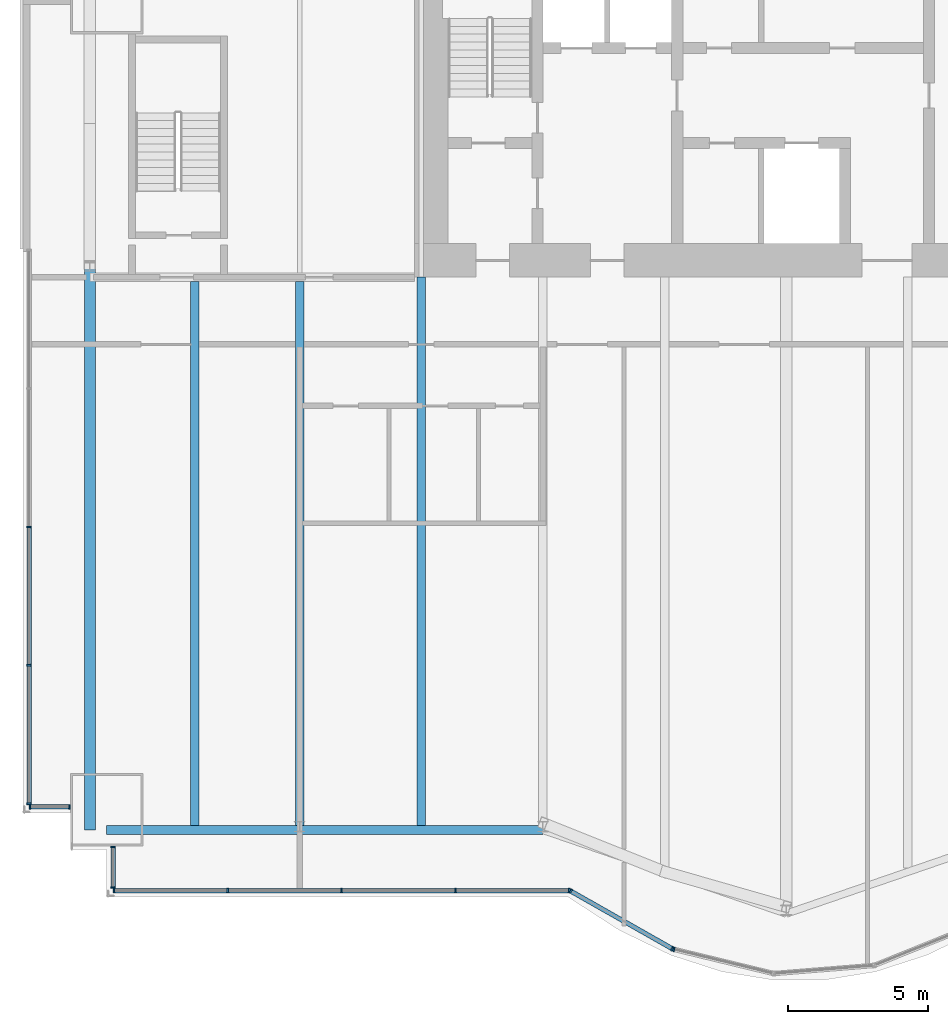
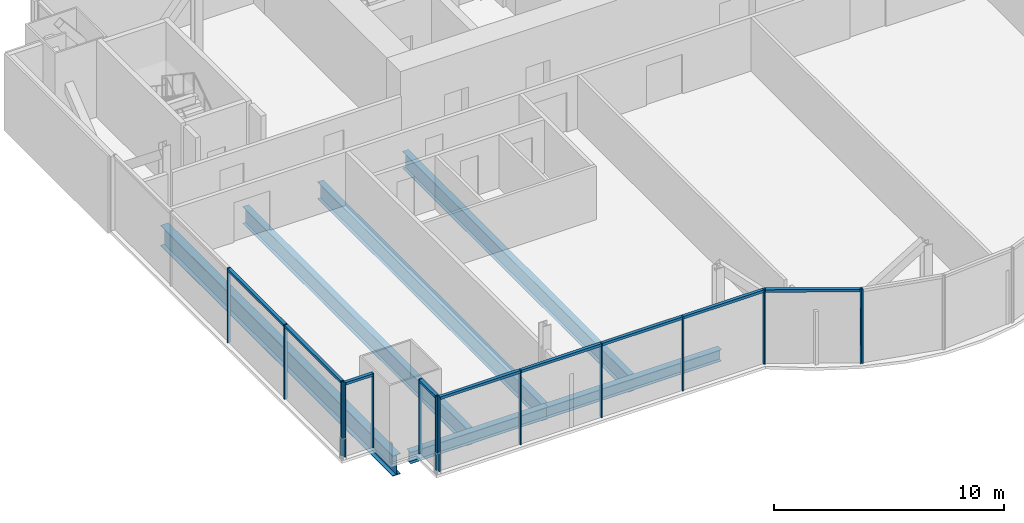
# One storey, part 5 of 21: 24 members, 6 beams, 5 elements without a shape of their own.
"""IFC4 building model written with IfcOpenShell, lengths in metres."""

from ifc_helpers import new_model, si_unit, direction, frame, origin, origin_2d, place, context, subcontext, project, spatial, rectangle, i_section, extrude, material, material_profile, profile_set, type_object, element, aggregate, save


model = new_model("IFC4")

# Units and contexts
model_context = context("Model", 3, precision=1e-05, world=origin(), true_north=direction((0.0, 1.0)))
body_context = subcontext(model_context, "Body", "Model", "MODEL_VIEW")
ifc_project = project(units=[si_unit("LENGTHUNIT", "METRE"), si_unit("AREAUNIT", "SQUARE_METRE"), si_unit("VOLUMEUNIT", "CUBIC_METRE"), si_unit("PLANEANGLEUNIT", "RADIAN"), si_unit("MASSUNIT", "GRAM", prefix="KILO")], contexts=[model_context])

# Site, building, storey
site_placement = place(None, origin())
site = spatial("IfcSite", under=ifc_project, at=site_placement, CompositionType="ELEMENT")
building_placement = place(site_placement, origin())
building = spatial("IfcBuilding", under=site, at=building_placement, Name="Bicima Exchange Tower", CompositionType="ELEMENT")
storey_placement = place(building_placement, frame((0.0, 0.0, 156.800048828125)))
storey = spatial("IfcBuildingStorey", under=building, at=storey_placement, Name="L34", CompositionType="ELEMENT", Elevation=156.800048828125)

# Curtain wall, members
ifc_material_1 = material(Name="Anodised bronze aluminium", Category="aluminium")
curtain_wall_type_1 = type_object("IfcCurtainWallType", Name="End face glass wall", PredefinedType="NOTDEFINED", material=ifc_material_1)
curtain_wall_1_placement = place(storey_placement, origin())
curtain_wall_1 = element("IfcCurtainWall", 1, at=curtain_wall_1_placement, inside=storey, type_object=curtain_wall_type_1, Name="End face glass wall L34 run 2", PredefinedType="NOTDEFINED")
ifc_material_profile_1 = material_profile(ifc_material_1, rectangle(XDim=0.159912109375, YDim=0.06005859375, at=origin_2d()))
ifc_profile_set_1 = profile_set([ifc_material_profile_1], Name="Anodised bronze aluminium")
member_type_1 = type_object("IfcMemberType", Name="End face glass wall mullion 60 x 160", PredefinedType="MULLION", material=ifc_profile_set_1)
member_1_placement = place(storey_placement, frame((-35.77001953125, -21.928955078125, 0.0), z_axis=(0.0, 0.0, 1.0), x_axis=(1.0, 0.0, 0.0)))
member_1 = element("IfcMember", 2, at=member_1_placement, type_object=member_type_1, Name="End face glass wall mullion 3", PredefinedType="MULLION", context=body_context, shape_type="SweptSolid", body=[
    extrude(rectangle(XDim=0.159912109375, YDim=0.06005859375, at=origin_2d()), origin(), (0.0, 0.0, 1.0), 3.949951171875),
])
member_2_placement = place(storey_placement, frame((-35.77001953125, -26.87841796875, 0.0), z_axis=(0.0, 0.0, 1.0), x_axis=(1.0, 0.0, 0.0)))
member_2 = element("IfcMember", 3, at=member_2_placement, type_object=member_type_1, Name="End face glass wall mullion 4", PredefinedType="MULLION", context=body_context, shape_type="SweptSolid", body=[
    extrude(rectangle(XDim=0.159912109375, YDim=0.06005859375, at=origin_2d()), origin(), (0.0, 0.0, 1.0), 3.949951171875),
])
member_3_placement = place(storey_placement, frame((-35.77001953125, -31.827880859375, 0.0), z_axis=(0.0, 0.0, 1.0), x_axis=(1.0, 0.0, 0.0)))
member_3 = element("IfcMember", 4, at=member_3_placement, type_object=member_type_1, Name="End face glass wall mullion 5", PredefinedType="MULLION", context=body_context, shape_type="SweptSolid", body=[
    extrude(rectangle(XDim=0.159912109375, YDim=0.06005859375, at=origin_2d()), origin(), (0.0, 0.0, 1.0), 3.949951171875),
])
ifc_material_profile_2 = material_profile(ifc_material_1, rectangle(XDim=0.159912109375, YDim=0.139892578125, at=origin_2d()))
ifc_profile_set_2 = profile_set([ifc_material_profile_2], Name="Anodised bronze aluminium")
member_type_2 = type_object("IfcMemberType", Name="End face glass wall transom 140 x 160", PredefinedType="USERDEFINED", material=ifc_profile_set_2)
member_4_placement = place(storey_placement, frame((-35.77001953125, -21.958984375, 3.8798828125), z_axis=(0.0, -1.0, 0.0), x_axis=(1.0, 0.0, 0.0)))
member_4 = element("IfcMember", 5, at=member_4_placement, type_object=member_type_2, Name="End face glass wall transom 3.1", ObjectType="TRANSOM", PredefinedType="USERDEFINED", context=body_context, shape_type="SweptSolid", body=[
    extrude(rectangle(XDim=0.159912109375, YDim=0.139892578125, at=origin_2d()), origin(), (0.0, 0.0, 1.0), 4.889404296875),
])
member_5_placement = place(storey_placement, frame((-35.77001953125, -26.908447265625, 3.8798828125), z_axis=(0.0, -1.0, 0.0), x_axis=(1.0, 0.0, 0.0)))
member_5 = element("IfcMember", 6, at=member_5_placement, type_object=member_type_2, Name="End face glass wall transom 4.1", ObjectType="TRANSOM", PredefinedType="USERDEFINED", context=body_context, shape_type="SweptSolid", body=[
    extrude(rectangle(XDim=0.159912109375, YDim=0.139892578125, at=origin_2d()), origin(), (0.0, 0.0, 1.0), 4.8896484375),
])
aggregate(curtain_wall_1, [member_1, member_2, member_3, member_4, member_5])

# Beams
ifc_material_2 = material(Name="Steel ASTM A992 Gr 50", Category="steel")
ifc_material_profile_3 = material_profile(ifc_material_2, i_section(OverallWidth=0.4013671875, OverallDepth=1.089599609375, WebThickness=0.01806640625, FlangeThickness=0.031005859375, at=origin_2d()))
ifc_profile_set_3 = profile_set([ifc_material_profile_3], Name="Steel ASTM A992 Gr 50")
beam_type_1 = type_object("IfcBeamType", Name="End girder W44x230", PredefinedType="BEAM", material=ifc_profile_set_3)
beam_1_placement = place(storey_placement, frame((-33.60009765625, -12.60009765625, -0.69482421875), z_axis=(0.0, -1.0, 0.0), x_axis=(1.0, 0.0, 0.0)))
element("IfcBeam", 7, at=beam_1_placement, inside=storey, type_object=beam_type_1, Name="End girder", PredefinedType="BEAM", context=body_context, shape_type="SweptSolid", body=[
    extrude(i_section(OverallWidth=0.4013671875, OverallDepth=1.089599609375, WebThickness=0.01806640625, FlangeThickness=0.031005859375, at=origin_2d()), origin(), (0.0, 0.0, 1.0), 20.16796875),
])
ifc_material_profile_4 = material_profile(ifc_material_2, i_section(OverallWidth=0.3046875, OverallDepth=0.904296875, WebThickness=0.01513671875, FlangeThickness=0.02001953125, at=origin_2d()))
ifc_profile_set_4 = profile_set([ifc_material_profile_4], Name="Steel ASTM A992 Gr 50")
beam_type_2 = type_object("IfcBeamType", Name="Floor beam W36x135", PredefinedType="JOIST", material=ifc_profile_set_4)
for number, where, z_axis, x_axis, name in (
    (8, (-29.85009765625, -13.15234375, -0.60205078125), (0.0, -1.0, 0.0), (1.0, 0.0, 0.0), "Floor beam"),
    (9, (-26.10009765625, -13.15234375, -0.60205078125), (0.0, -1.0, 0.0), (1.0, 0.0, 0.0), "Floor beam"),
):
    element("IfcBeam", number, at=place(storey_placement, frame(where, z_axis=z_axis, x_axis=x_axis)), inside=storey, type_object=beam_type_2, Name=name, PredefinedType="JOIST", context=body_context, shape_type="SweptSolid", body=[
        extrude(i_section(OverallWidth=0.3046875, OverallDepth=0.904296875, WebThickness=0.01513671875, FlangeThickness=0.02001953125, at=origin_2d()), origin(), (0.0, 0.0, 1.0), 19.453125),
    ])
beam_2_placement = place(storey_placement, frame((-21.75, -13.0, -0.60205078125), z_axis=(0.0, -1.0, 0.0), x_axis=(1.0, 0.0, 0.0)))
element("IfcBeam", 10, at=beam_2_placement, inside=storey, type_object=beam_type_2, Name="Floor beam", PredefinedType="JOIST", context=body_context, shape_type="SweptSolid", body=[
    extrude(i_section(OverallWidth=0.3046875, OverallDepth=0.904296875, WebThickness=0.01513671875, FlangeThickness=0.02001953125, at=origin_2d()), origin(), (0.0, 0.0, 1.0), 19.60546875),
])
ifc_material_profile_5 = material_profile(ifc_material_2, i_section(OverallWidth=0.3251953125, OverallDepth=0.612060546875, WebThickness=0.0126953125, FlangeThickness=0.01904296875, at=origin_2d()))
ifc_profile_set_5 = profile_set([ifc_material_profile_5], Name="Steel ASTM A992 Gr 50")
beam_type_3 = type_object("IfcBeamType", Name="Front girder W24x104", PredefinedType="BEAM", material=ifc_profile_set_5)
beam_3_placement = place(storey_placement, frame((-33.0, -32.76806640625, -0.4560546875), z_axis=(1.0, 0.0, 0.0), x_axis=(0.0, 1.0, 0.0)))
element("IfcBeam", 11, at=beam_3_placement, inside=storey, type_object=beam_type_3, Name="Front girder", PredefinedType="BEAM", context=body_context, shape_type="SweptSolid", body=[
    extrude(i_section(OverallWidth=0.3251953125, OverallDepth=0.612060546875, WebThickness=0.0126953125, FlangeThickness=0.01904296875, at=origin_2d()), origin(), (0.0, 0.0, 1.0), 6.89990234375),
])
beam_4_placement = place(storey_placement, frame((-26.10009765625, -32.76806640625, -0.4560546875), z_axis=(1.0, 0.0, 0.0), x_axis=(0.0, 1.0, 0.0)))
element("IfcBeam", 12, at=beam_4_placement, inside=storey, type_object=beam_type_3, Name="Front girder", PredefinedType="BEAM", context=body_context, shape_type="SweptSolid", body=[
    extrude(i_section(OverallWidth=0.3251953125, OverallDepth=0.612060546875, WebThickness=0.0126953125, FlangeThickness=0.01904296875, at=origin_2d()), origin(), (0.0, 0.0, 1.0), 8.7001953125),
])

# Curtain wall, members
curtain_wall_type_2 = type_object("IfcCurtainWallType", Name="Front glass wall", PredefinedType="NOTDEFINED", material=ifc_material_1)
curtain_wall_2_placement = place(storey_placement, origin())
curtain_wall_2 = element("IfcCurtainWall", 13, at=curtain_wall_2_placement, inside=storey, type_object=curtain_wall_type_2, Name="Front glass wall L34 run 3", PredefinedType="NOTDEFINED")
member_type_3 = type_object("IfcMemberType", Name="Front glass wall mullion 60 x 160", PredefinedType="MULLION", material=ifc_profile_set_1)
member_6_placement = place(storey_placement, frame((-35.739990234375, -31.93798828125, 0.0), z_axis=(0.0, 0.0, 1.0), x_axis=(0.0, 1.0, 0.0)))
member_6 = element("IfcMember", 14, at=member_6_placement, type_object=member_type_3, Name="Front glass wall mullion 1", PredefinedType="MULLION", context=body_context, shape_type="SweptSolid", body=[
    extrude(rectangle(XDim=0.159912109375, YDim=0.06005859375, at=origin_2d()), origin(), (0.0, 0.0, 1.0), 3.949951171875),
])
member_7_placement = place(storey_placement, frame((-34.330078125, -31.93798828125, 0.0), z_axis=(0.0, 0.0, 1.0), x_axis=(0.0, 1.0, 0.0)))
member_7 = element("IfcMember", 15, at=member_7_placement, type_object=member_type_3, Name="Front glass wall mullion 2", PredefinedType="MULLION", context=body_context, shape_type="SweptSolid", body=[
    extrude(rectangle(XDim=0.159912109375, YDim=0.06005859375, at=origin_2d()), origin(), (0.0, 0.0, 1.0), 3.949951171875),
])

curtain_wall_3_placement = place(storey_placement, origin())
curtain_wall_3 = element("IfcCurtainWall", 16, at=curtain_wall_3_placement, inside=storey, type_object=curtain_wall_type_2, Name="Front glass wall L34 run 4", PredefinedType="NOTDEFINED")
member_8_placement = place(storey_placement, frame((-32.77001953125, -33.3759765625, 0.0), z_axis=(0.0, 0.0, 1.0), x_axis=(1.0, 0.0, 0.0)))
member_8 = element("IfcMember", 17, at=member_8_placement, type_object=member_type_3, Name="Front glass wall mullion 1", PredefinedType="MULLION", context=body_context, shape_type="SweptSolid", body=[
    extrude(rectangle(XDim=0.159912109375, YDim=0.06005859375, at=origin_2d()), origin(), (0.0, 0.0, 1.0), 3.949951171875),
])
member_9_placement = place(storey_placement, frame((-32.77001953125, -34.827880859375, 0.0), z_axis=(0.0, 0.0, 1.0), x_axis=(1.0, 0.0, 0.0)))
member_9 = element("IfcMember", 18, at=member_9_placement, type_object=member_type_3, Name="Front glass wall mullion 2", PredefinedType="MULLION", context=body_context, shape_type="SweptSolid", body=[
    extrude(rectangle(XDim=0.159912109375, YDim=0.06005859375, at=origin_2d()), origin(), (0.0, 0.0, 1.0), 3.949951171875),
])

curtain_wall_4_placement = place(storey_placement, origin())
curtain_wall_4 = element("IfcCurtainWall", 19, at=curtain_wall_4_placement, inside=storey, type_object=curtain_wall_type_2, Name="Front glass wall L34 run 5", PredefinedType="NOTDEFINED")
member_10_placement = place(storey_placement, frame((-32.739990234375, -34.93798828125, 0.0), z_axis=(0.0, 0.0, 1.0), x_axis=(0.0, 1.0, 0.0)))
member_10 = element("IfcMember", 20, at=member_10_placement, type_object=member_type_3, Name="Front glass wall mullion 1", PredefinedType="MULLION", context=body_context, shape_type="SweptSolid", body=[
    extrude(rectangle(XDim=0.159912109375, YDim=0.06005859375, at=origin_2d()), origin(), (0.0, 0.0, 1.0), 3.949951171875),
])
member_11_placement = place(storey_placement, frame((-28.67041015625, -34.93798828125, 0.0), z_axis=(0.0, 0.0, 1.0), x_axis=(0.0, 1.0, 0.0)))
member_11 = element("IfcMember", 21, at=member_11_placement, type_object=member_type_3, Name="Front glass wall mullion 2", PredefinedType="MULLION", context=body_context, shape_type="SweptSolid", body=[
    extrude(rectangle(XDim=0.159912109375, YDim=0.06005859375, at=origin_2d()), origin(), (0.0, 0.0, 1.0), 3.949951171875),
])
member_12_placement = place(storey_placement, frame((-24.60107421875, -34.93798828125, 0.0), z_axis=(0.0, 0.0, 1.0), x_axis=(0.0, 1.0, 0.0)))
member_12 = element("IfcMember", 22, at=member_12_placement, type_object=member_type_3, Name="Front glass wall mullion 3", PredefinedType="MULLION", context=body_context, shape_type="SweptSolid", body=[
    extrude(rectangle(XDim=0.159912109375, YDim=0.06005859375, at=origin_2d()), origin(), (0.0, 0.0, 1.0), 3.949951171875),
])
member_13_placement = place(storey_placement, frame((-20.531494140625, -34.93798828125, 0.0), z_axis=(0.0, 0.0, 1.0), x_axis=(0.0, 1.0, 0.0)))
member_13 = element("IfcMember", 23, at=member_13_placement, type_object=member_type_3, Name="Front glass wall mullion 4", PredefinedType="MULLION", context=body_context, shape_type="SweptSolid", body=[
    extrude(rectangle(XDim=0.159912109375, YDim=0.06005859375, at=origin_2d()), origin(), (0.0, 0.0, 1.0), 3.949951171875),
])
member_14_placement = place(storey_placement, frame((-16.462158203125, -34.93798828125, 0.0), z_axis=(0.0, 0.0, 1.0), x_axis=(0.0, 1.0, 0.0)))
member_14 = element("IfcMember", 24, at=member_14_placement, type_object=member_type_3, Name="Front glass wall mullion 5", PredefinedType="MULLION", context=body_context, shape_type="SweptSolid", body=[
    extrude(rectangle(XDim=0.159912109375, YDim=0.06005859375, at=origin_2d()), origin(), (0.0, 0.0, 1.0), 3.949951171875),
])

curtain_wall_5_placement = place(storey_placement, origin())
curtain_wall_5 = element("IfcCurtainWall", 25, at=curtain_wall_5_placement, inside=storey, type_object=curtain_wall_type_2, Name="Front glass wall L34 run 6", PredefinedType="NOTDEFINED")
member_15_placement = place(storey_placement, frame((-16.406005859375, -34.952880859375, 0.0), z_axis=(0.0, 0.0, 1.0), x_axis=(0.493395449343, 0.869805110681, 0.0)))
member_15 = element("IfcMember", 26, at=member_15_placement, type_object=member_type_3, Name="Front glass wall mullion 1", PredefinedType="MULLION", context=body_context, shape_type="SweptSolid", body=[
    extrude(rectangle(XDim=0.159912109375, YDim=0.06005859375, at=origin_2d()), origin(), (0.0, 0.0, 1.0), 3.949951171875),
])
member_16_placement = place(storey_placement, frame((-12.7734375, -37.013427734375, 0.0), z_axis=(0.0, 0.0, 1.0), x_axis=(0.493395449343, 0.869805110681, 0.0)))
member_16 = element("IfcMember", 27, at=member_16_placement, type_object=member_type_3, Name="Front glass wall mullion 2", PredefinedType="MULLION", context=body_context, shape_type="SweptSolid", body=[
    extrude(rectangle(XDim=0.159912109375, YDim=0.06005859375, at=origin_2d()), origin(), (0.0, 0.0, 1.0), 3.949951171875),
])
member_17_placement = place(storey_placement, frame((-12.718017578125, -37.035400390625, 0.0), z_axis=(0.0, 0.0, 1.0), x_axis=(0.235681529503, 0.971830343553, 0.0)))
member_17 = element("IfcMember", 28, at=member_17_placement, type_object=member_type_3, Name="Front glass wall mullion 1", PredefinedType="MULLION", context=body_context, shape_type="SweptSolid", body=[
    extrude(rectangle(XDim=0.159912109375, YDim=0.06005859375, at=origin_2d()), origin(), (0.0, 0.0, 1.0), 3.949951171875),
])

# Member
member_type_4 = type_object("IfcMemberType", Name="Front glass wall transom 140 x 160", PredefinedType="USERDEFINED", material=ifc_profile_set_2)
member_18_placement = place(storey_placement, frame((-35.7099609375, -31.93798828125, 3.8798828125), z_axis=(1.0, 0.0, 0.0), x_axis=(0.0, 1.0, 0.0)))
member_18 = element("IfcMember", 29, at=member_18_placement, type_object=member_type_4, Name="Front glass wall transom 1.1", ObjectType="TRANSOM", PredefinedType="USERDEFINED", context=body_context, shape_type="SweptSolid", body=[
    extrude(rectangle(XDim=0.159912109375, YDim=0.139892578125, at=origin_2d()), origin(), (0.0, 0.0, 1.0), 1.349853515625),
])

aggregate(curtain_wall_2, [member_6, member_7, member_18])

member_19_placement = place(storey_placement, frame((-32.77001953125, -33.406005859375, 3.8798828125), z_axis=(0.0, -1.0, 0.0), x_axis=(1.0, 0.0, 0.0)))
member_19 = element("IfcMember", 30, at=member_19_placement, type_object=member_type_4, Name="Front glass wall transom 1.1", ObjectType="TRANSOM", PredefinedType="USERDEFINED", context=body_context, shape_type="SweptSolid", body=[
    extrude(rectangle(XDim=0.159912109375, YDim=0.139892578125, at=origin_2d()), origin(), (0.0, 0.0, 1.0), 1.39208984375),
])

aggregate(curtain_wall_3, [member_8, member_9, member_19])

member_20_placement = place(storey_placement, frame((-32.7099609375, -34.93798828125, 3.8798828125), z_axis=(1.0, 0.0, 0.0), x_axis=(0.0, 1.0, 0.0)))
member_20 = element("IfcMember", 31, at=member_20_placement, type_object=member_type_4, Name="Front glass wall transom 1.1", ObjectType="TRANSOM", PredefinedType="USERDEFINED", context=body_context, shape_type="SweptSolid", body=[
    extrude(rectangle(XDim=0.159912109375, YDim=0.139892578125, at=origin_2d()), origin(), (0.0, 0.0, 1.0), 4.009521484375),
])

member_21_placement = place(storey_placement, frame((-28.640380859375, -34.93798828125, 3.8798828125), z_axis=(1.0, 0.0, 0.0), x_axis=(0.0, 1.0, 0.0)))
member_21 = element("IfcMember", 32, at=member_21_placement, type_object=member_type_4, Name="Front glass wall transom 2.1", ObjectType="TRANSOM", PredefinedType="USERDEFINED", context=body_context, shape_type="SweptSolid", body=[
    extrude(rectangle(XDim=0.159912109375, YDim=0.139892578125, at=origin_2d()), origin(), (0.0, 0.0, 1.0), 4.00927734375),
])

member_22_placement = place(storey_placement, frame((-24.571044921875, -34.93798828125, 3.8798828125), z_axis=(1.0, 0.0, 0.0), x_axis=(0.0, 1.0, 0.0)))
member_22 = element("IfcMember", 33, at=member_22_placement, type_object=member_type_4, Name="Front glass wall transom 3.1", ObjectType="TRANSOM", PredefinedType="USERDEFINED", context=body_context, shape_type="SweptSolid", body=[
    extrude(rectangle(XDim=0.159912109375, YDim=0.139892578125, at=origin_2d()), origin(), (0.0, 0.0, 1.0), 4.009521484375),
])

member_23_placement = place(storey_placement, frame((-20.501708984375, -34.93798828125, 3.8798828125), z_axis=(1.0, 0.0, 0.0), x_axis=(0.0, 1.0, 0.0)))
member_23 = element("IfcMember", 34, at=member_23_placement, type_object=member_type_4, Name="Front glass wall transom 4.1", ObjectType="TRANSOM", PredefinedType="USERDEFINED", context=body_context, shape_type="SweptSolid", body=[
    extrude(rectangle(XDim=0.159912109375, YDim=0.139892578125, at=origin_2d()), origin(), (0.0, 0.0, 1.0), 4.009521484375),
])

aggregate(curtain_wall_4, [member_10, member_11, member_12, member_13, member_14, member_20, member_21, member_22, member_23])

member_24_placement = place(storey_placement, frame((-16.3798828125, -34.967529296875, 3.8798828125), z_axis=(0.869797371721, -0.49340909208, 0.0), x_axis=(0.49340909208, 0.869797371721, 0.0)))
member_24 = element("IfcMember", 35, at=member_24_placement, type_object=member_type_4, Name="Front glass wall transom 1.1", ObjectType="TRANSOM", PredefinedType="USERDEFINED", context=body_context, shape_type="SweptSolid", body=[
    extrude(rectangle(XDim=0.159912109375, YDim=0.139892578125, at=origin_2d()), origin(), (0.0, 0.0, 1.0), 4.1162109375),
])

aggregate(curtain_wall_5, [member_15, member_16, member_24, member_17])

save(model, "model.ifc")
